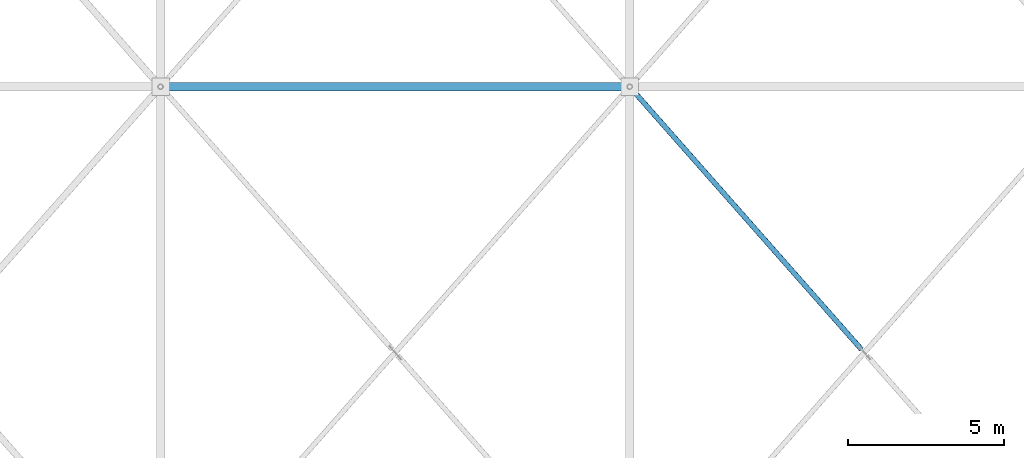
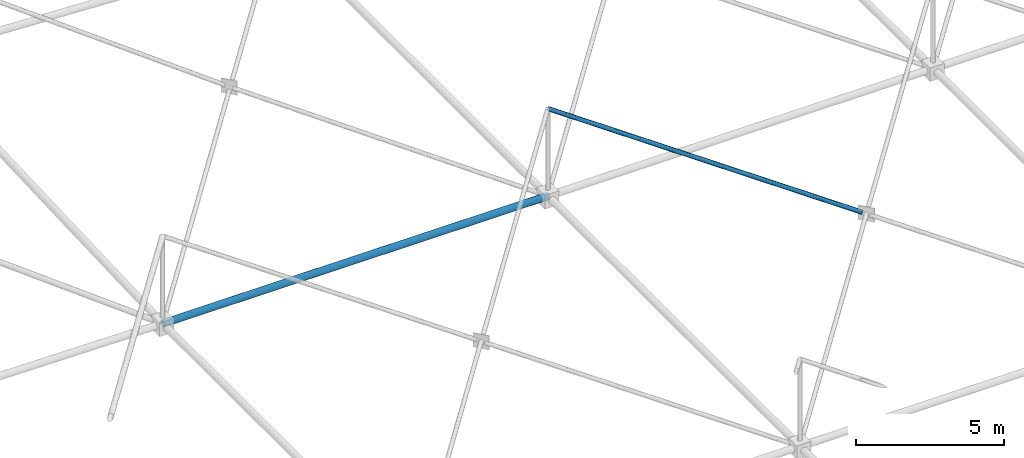
# One storey, part 75 of 224: 2 members.
"""IFC4 building model written with IfcOpenShell, lengths in metres."""

from ifc_helpers import new_model, si_unit, direction, frame, origin, origin_2d, place, context, subcontext, project, spatial, hollow_circle, extrude, material, material_profile, profile_set, type_object, element, save


model = new_model("IFC4")

# Units and contexts
model_context = context("Model", 3, precision=1e-05, world=origin(), true_north=direction((0.0, 1.0)))
body_context = subcontext(model_context, "Body", "Model", "MODEL_VIEW")
ifc_project = project(units=[si_unit("LENGTHUNIT", "METRE"), si_unit("AREAUNIT", "SQUARE_METRE"), si_unit("VOLUMEUNIT", "CUBIC_METRE"), si_unit("PLANEANGLEUNIT", "RADIAN"), si_unit("MASSUNIT", "GRAM", prefix="KILO")], contexts=[model_context])

# Site, building, storey
site_placement = place(None, origin())
site = spatial("IfcSite", under=ifc_project, at=site_placement, CompositionType="ELEMENT")
building_placement = place(site_placement, origin())
building = spatial("IfcBuilding", under=site, at=building_placement, Name="Qamarlyn Nura Convention Centre", CompositionType="ELEMENT")
storey_placement = place(building_placement, frame((0.0, 0.0, 10.800048828125)))
storey = spatial("IfcBuildingStorey", under=building, at=storey_placement, Name="L02", CompositionType="ELEMENT", Elevation=10.800048828125)

# Members
ifc_material = material(Name="Pearl-white PVDF steel ASTM A500 Grade C", Category="steel")
ifc_material_profile_1 = material_profile(ifc_material, hollow_circle(Radius=0.136474609375, WallThickness=0.012451171875, at=origin_2d()), Name="CHS273X12.5")
ifc_profile_set_1 = profile_set([ifc_material_profile_1], Name="Pearl-white PVDF steel ASTM A500 Grade C")
member_type_1 = type_object("IfcMemberType", Name="SF-BC-MAIN", PredefinedType="CHORD", material=ifc_profile_set_1)
member_1_placement = place(storey_placement, frame((15.0, 69.0, 0.80126953125), z_axis=(0.999999996689, 0.0, -8.1380208e-05), x_axis=(0.0, 1.0, 0.0)))
element("IfcMember", 1, at=member_1_placement, inside=storey, type_object=member_type_1, Name="ROOF TRUSS space frame bottom chord X3-5", PredefinedType="CHORD", context=body_context, shape_type="SweptSolid", body=[
    extrude(hollow_circle(Radius=0.136474609375, WallThickness=0.012451171875, at=origin_2d()), origin(), (0.0, 0.0, 1.0), 15.0),
])
ifc_material_profile_2 = material_profile(ifc_material, hollow_circle(Radius=0.084228515625, WallThickness=0.008056640625, at=origin_2d()), Name="CHS168.3X8")
ifc_profile_set_2 = profile_set([ifc_material_profile_2], Name="Pearl-white PVDF steel ASTM A500 Grade C")
member_type_2 = type_object("IfcMemberType", Name="SF-WEB-STD", PredefinedType="BRACE", material=ifc_profile_set_2)
member_2_placement = place(storey_placement, frame((37.408447265625, 60.603759765625, 2.6220703125), z_axis=(-0.653436826791, 0.740561737029, 0.156807611557), x_axis=(-0.749837855365, -0.661621637087, 0.0)))
element("IfcMember", 2, at=member_2_placement, inside=storey, type_object=member_type_2, Name="ROOF TRUSS space frame split diagonal B2 4-4", PredefinedType="BRACE", context=body_context, shape_type="SweptSolid", body=[
    extrude(hollow_circle(Radius=0.084228515625, WallThickness=0.008056640625, at=origin_2d()), origin(), (0.0, 0.0, 1.0), 11.337646484375),
])

save(model, "model.ifc")
